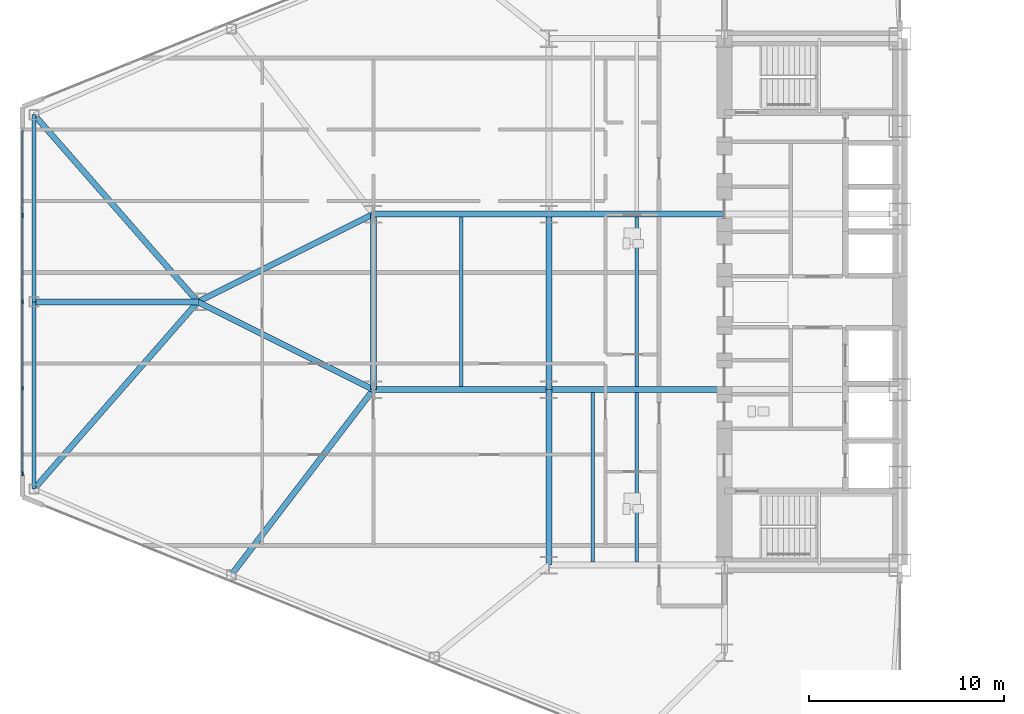
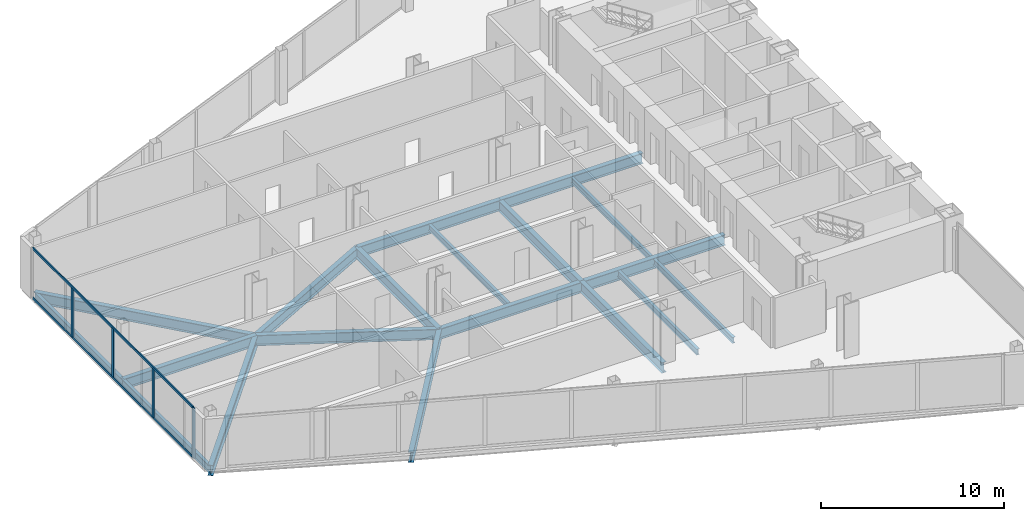
# One storey, part 4 of 25: 19 beams, 6 members, 1 element without a shape of its own.
"""IFC4 building model written with IfcOpenShell, lengths in metres."""

import ifcopenshell
import ifcopenshell.guid

model = None  # the IFC model being written
_history = None  # IfcOwnerHistory: only IFC2X3 demands one
_inside = {}  # id of a spatial element -> (the spatial element, [elements in it])
_under = {}  # id of a project, library or spatial element -> (it, [spatial elements below it])
_declared = {}  # id of a project -> (the project, [libraries it declares])
_typed = {}  # id of a type object -> (the type object, [elements of that type])
_made_of = {}  # id of a material, layer set ... -> (it, [elements and type objects made of it])


def new_model(schema):
    """Start an empty IFC model of exactly this schema.

    Asked for "IFC4X3", IfcOpenShell would pick the latest addendum, in which some entities
    have other attributes; the version numbers below select the first issue.
    IFC2X3 requires an IfcOwnerHistory on every rooted entity: one is made here for all.
    """
    global model, _history
    if schema == "IFC4X3":
        model = ifcopenshell.file(schema_version=(4, 3, 0, 0))
    else:
        model = ifcopenshell.file(schema=schema)
    _inside.clear()
    _under.clear()
    _declared.clear()
    _typed.clear()
    _made_of.clear()
    _history = None
    if model.schema == "IFC2X3":
        org = make("IfcOrganization", Name="unknown")
        user = make(
            "IfcPersonAndOrganization",
            ThePerson=make("IfcPerson", FamilyName="unknown"),
            TheOrganization=org,
        )
        app = make(
            "IfcApplication",
            ApplicationDeveloper=org,
            Version="unknown",
            ApplicationFullName="unknown",
            ApplicationIdentifier="unknown",
        )
        _history = make(
            "IfcOwnerHistory",
            OwningUser=user,
            OwningApplication=app,
            ChangeAction="ADDED",
            CreationDate=0,
        )
    return model


def make(cls, **values):
    """One entity of the class cls with the attributes given. An attribute that is None is left unset."""
    return model.create_entity(
        cls, **{name: value for name, value in values.items() if value is not None}
    )


def rooted(cls, **values):
    """An entity with a GlobalId (a new one), such as an element, a storey or a relation."""
    return make(cls, GlobalId=ifcopenshell.guid.new(), OwnerHistory=_history, **values)


def si_unit(unit_type, name, prefix=None):
    """IfcSIUnit, for example si_unit("LENGTHUNIT", "METRE", prefix="MILLI")."""
    return make("IfcSIUnit", UnitType=unit_type, Prefix=prefix, Name=name)


def assignment(units):
    """IfcUnitAssignment: the units of a project."""
    return None if units is None else make("IfcUnitAssignment", Units=units)


def point(xyz):
    """IfcCartesianPoint."""
    return None if xyz is None else make("IfcCartesianPoint", Coordinates=xyz)


def direction(xyz):
    """IfcDirection."""
    return None if xyz is None else make("IfcDirection", DirectionRatios=xyz)


def frame(location, z_axis=None, x_axis=None):
    """IfcAxis2Placement3D, a coordinate frame: its origin and axes. An axis left out is left unset."""
    return make(
        "IfcAxis2Placement3D",
        Location=point(location),
        Axis=direction(z_axis),
        RefDirection=direction(x_axis),
    )


def frame_2d(location, x_axis=None):
    """IfcAxis2Placement2D, a coordinate frame in the plane: its origin and x axis."""
    return make(
        "IfcAxis2Placement2D", Location=point(location), RefDirection=direction(x_axis)
    )


def origin():
    """The frame at (0, 0, 0) with its axes left unset."""
    return frame((0.0, 0.0, 0.0))


def origin_2d():
    """The frame at (0, 0) in the plane with its x axis left unset."""
    return frame_2d((0.0, 0.0))


def place(relative_to, where):
    """IfcLocalPlacement: puts the frame where relative to a parent placement (None: the world)."""
    return make(
        "IfcLocalPlacement", PlacementRelTo=relative_to, RelativePlacement=where
    )


def context(
    kind, dimensions, precision=None, world=None, true_north=None, identifier=None
):
    """IfcGeometricRepresentationContext, for example the 3D "Model" context."""
    return make(
        "IfcGeometricRepresentationContext",
        ContextIdentifier=identifier,
        ContextType=kind,
        CoordinateSpaceDimension=dimensions,
        Precision=precision,
        WorldCoordinateSystem=world,
        TrueNorth=true_north,
    )


def subcontext(parent, identifier, kind, view, scale=None):
    """IfcGeometricRepresentationSubContext, for example "Body" below "Model"."""
    return make(
        "IfcGeometricRepresentationSubContext",
        ContextIdentifier=identifier,
        ContextType=kind,
        ParentContext=parent,
        TargetScale=scale,
        TargetView=view,
    )


def project(units=None, contexts=None):
    """IfcProject with its units and contexts."""
    return rooted(
        "IfcProject",
        Name="project",
        RepresentationContexts=contexts,
        UnitsInContext=assignment(units),
    )


def spatial(cls, under=None, at=None, **own):
    """A site, building, storey or space (cls), placed at a placement, below another one or the project."""
    s = rooted(cls, ObjectPlacement=at, **own)
    if under is not None:
        _under.setdefault(under.id(), (under, []))[1].append(s)
    return s


def profile(cls, at=None, kind="AREA", **sizes):
    """A parametric profile (cls). Its sizes go by their IFC names, for example OverallWidth=200.0."""
    return make(cls, ProfileType=kind, Position=at, **sizes)


def rectangle(**sizes):
    """IfcRectangleProfileDef."""
    return profile("IfcRectangleProfileDef", **sizes)


def i_section(**sizes):
    """IfcIShapeProfileDef."""
    return profile("IfcIShapeProfileDef", **sizes)


def extrude(swept, where, along, depth):
    """IfcExtrudedAreaSolid: the profile swept, set in the frame where, extruded along a direction by depth."""
    return make(
        "IfcExtrudedAreaSolid",
        SweptArea=swept,
        Position=where,
        ExtrudedDirection=direction(along),
        Depth=depth,
    )


def shape(context_of_items, identifier, shape_type, items):
    """IfcShapeRepresentation: the items that make up one representation, for example the "Body"."""
    return make(
        "IfcShapeRepresentation",
        ContextOfItems=context_of_items,
        RepresentationIdentifier=identifier,
        RepresentationType=shape_type,
        Items=items,
    )


def source(mapping_origin, context_of_items, identifier, shape_type, items):
    """IfcRepresentationMap: a shape defined once, which mapped items show again and again."""
    return make(
        "IfcRepresentationMap",
        MappingOrigin=mapping_origin,
        MappedRepresentation=shape(context_of_items, identifier, shape_type, items),
    )


def transform(
    local_origin,
    x_axis=None,
    y_axis=None,
    z_axis=None,
    scale=None,
    scale2=None,
    scale3=None,
    uniform=True,
):
    """IfcCartesianTransformationOperator3D, or its non-uniform kind. x_axis, y_axis, z_axis: its Axis1, 2, 3."""
    if uniform:
        return make(
            "IfcCartesianTransformationOperator3D",
            Axis1=direction(x_axis),
            Axis2=direction(y_axis),
            LocalOrigin=point(local_origin),
            Scale=scale,
            Axis3=direction(z_axis),
        )
    return make(
        "IfcCartesianTransformationOperator3DnonUniform",
        Axis1=direction(x_axis),
        Axis2=direction(y_axis),
        LocalOrigin=point(local_origin),
        Scale=scale,
        Axis3=direction(z_axis),
        Scale2=scale2,
        Scale3=scale3,
    )


def mapped(mapping_source, mapping_target):
    """IfcMappedItem: shows the shape of a source again, moved by a transform."""
    return make(
        "IfcMappedItem", MappingSource=mapping_source, MappingTarget=mapping_target
    )


def material(Name=None, Category=None):
    """IfcMaterial."""
    return make("IfcMaterial", Name=Name, Category=Category)


def layer(
    of_material, thickness, ventilated=None, Name=None, Category=None, Priority=None
):
    """IfcMaterialLayer: one layer of a wall or slab, of a material (None: an air gap)."""
    return make(
        "IfcMaterialLayer",
        Material=of_material,
        LayerThickness=thickness,
        IsVentilated=ventilated,
        Name=Name,
        Category=Category,
        Priority=Priority,
    )


def layer_set(layers, Name=None):
    """IfcMaterialLayerSet."""
    return make("IfcMaterialLayerSet", MaterialLayers=layers, LayerSetName=Name)


def material_profile(
    of_material, cross_section, Name=None, Category=None, Priority=None
):
    """IfcMaterialProfile: a cross section and its material."""
    return make(
        "IfcMaterialProfile",
        Name=Name,
        Material=of_material,
        Profile=cross_section,
        Priority=Priority,
        Category=Category,
    )


def profile_set(profiles, Name=None, composite=None):
    """IfcMaterialProfileSet."""
    return make(
        "IfcMaterialProfileSet",
        Name=Name,
        MaterialProfiles=profiles,
        CompositeProfile=composite,
    )


def made_of(thing, what):
    """Note that an element or type object is made of a material, layer set ...; save() writes the relation."""
    if what is not None:
        _made_of.setdefault(what.id(), (what, []))[1].append(thing)
    return thing


def type_object(cls, material=None, **own):
    """A type object (cls), such as IfcWallType, which elements share."""
    return made_of(rooted(cls, **own), material)


def type_shapes(of_type, sources):
    """Give a type object the sources (RepresentationMaps) that its elements show as mapped items."""
    of_type.RepresentationMaps = sources


def element(
    cls,
    number,
    at=None,
    inside=None,
    cuts=None,
    type_object=None,
    material=None,
    context=None,
    identifier="Body",
    shape_type=None,
    held_by="IfcProductDefinitionShape",
    body=None,
    shapes=None,
    **own,
):
    """One element of the class cls, such as IfcWall. Its Tag is "e" and its number.

    at: its placement. inside: the storey or other place that contains it. cuts: it is an
    opening in that element (IfcRelVoidsElement). A single representation is given by context,
    identifier, shape_type and body (its items); several are given by shapes. held_by: the class
    of the entity that holds the representations. save() writes the other relations.
    """
    e = rooted(cls, Tag="e%d" % number, ObjectPlacement=at, **own)
    if body is not None:
        shapes = [shape(context, identifier, shape_type, body)]
    if shapes is not None:
        e.Representation = make(held_by, Representations=shapes)
    if inside is not None:
        _inside.setdefault(inside.id(), (inside, []))[1].append(e)
    if cuts is not None:
        rooted(
            "IfcRelVoidsElement", RelatingBuildingElement=cuts, RelatedOpeningElement=e
        )
    if type_object is not None:
        _typed.setdefault(type_object.id(), (type_object, []))[1].append(e)
    return made_of(e, material)


def aggregate(whole, parts):
    """IfcRelAggregates: a whole, such as a stair, and the parts it consists of."""
    return rooted("IfcRelAggregates", RelatingObject=whole, RelatedObjects=parts)


def save(model, path):
    """Write the relations noted so far, then the file.

    IfcRelAggregates (storeys below a building ...), IfcRelContainedInSpatialStructure (elements
    in a storey), IfcRelDefinesByType, IfcRelAssociatesMaterial and IfcRelDeclares: one each for
    every whole, place, type object, material and project.
    """
    for whole, parts in _under.values():
        aggregate(whole, parts)
    for where, things in _inside.values():
        rooted(
            "IfcRelContainedInSpatialStructure",
            RelatedElements=things,
            RelatingStructure=where,
        )
    for kind, things in _typed.values():
        rooted("IfcRelDefinesByType", RelatedObjects=things, RelatingType=kind)
    for what, things in _made_of.values():
        rooted("IfcRelAssociatesMaterial", RelatedObjects=things, RelatingMaterial=what)
    for by, libraries in _declared.values():
        rooted("IfcRelDeclares", RelatingContext=by, RelatedDefinitions=libraries)
    model.write(path)


model = new_model("IFC4")

# Units and contexts
model_context = context("Model", 3, precision=1e-05, world=origin(), true_north=direction((0.0, 1.0)))
body_context = subcontext(model_context, "Body", "Model", "MODEL_VIEW")
ifc_project = project(units=[si_unit("LENGTHUNIT", "METRE"), si_unit("AREAUNIT", "SQUARE_METRE"), si_unit("VOLUMEUNIT", "CUBIC_METRE"), si_unit("PLANEANGLEUNIT", "RADIAN"), si_unit("MASSUNIT", "GRAM", prefix="KILO")], contexts=[model_context])

# Site, building, storey
site_placement = place(None, origin())
site = spatial("IfcSite", under=ifc_project, at=site_placement, CompositionType="ELEMENT")
building_placement = place(site_placement, origin())
building = spatial("IfcBuilding", under=site, at=building_placement, Name="Seokmaru Belvedere", CompositionType="ELEMENT")
storey_placement = place(building_placement, frame((0.0, 0.0, 54.89990234375)))
storey = spatial("IfcBuildingStorey", under=building, at=storey_placement, Name="L14", CompositionType="ELEMENT", Elevation=54.89990234375)

# Beams
ifc_material_1 = material(Name="Steel SM355 (355 MPa)", Category="steel")
ifc_material_profile_1 = material_profile(ifc_material_1, i_section(OverallWidth=0.300048828125, OverallDepth=0.699951171875, WebThickness=0.012939453125, FlangeThickness=0.02392578125, at=origin_2d()), Name="H-700x300x13x24")
ifc_profile_set_1 = profile_set([ifc_material_profile_1], Name="Steel SM355 (355 MPa)")
beam_type_1 = type_object("IfcBeamType", Name="Primary Floor Girder H-700", PredefinedType="BEAM", material=ifc_profile_set_1)
shared_shape_1 = source(origin(), body_context, "Body", "SweptSolid", [
    extrude(i_section(OverallWidth=0.300048828125, OverallDepth=0.699951171875, WebThickness=0.012939453125, FlangeThickness=0.02392578125, at=origin_2d()), origin(), (0.0, 0.0, 1.0), 9.0),
])
for number, where, z_axis, x_axis, name in (
    (1, (-45.5, -13.5, -0.56982421875), (0.0, 1.0, 0.0), (-1.0, 0.0, 0.0), "L14 W Interior Grid Girder 1"),
    (2, (-45.5, -4.5, -0.56982421875), (0.0, 1.0, 0.0), (-1.0, 0.0, 0.0), "L14 W Interior Grid Girder 2"),
    (3, (-45.5, -4.5, -0.56982421875), (1.0, 0.0, 0.0), (0.0, 1.0, 0.0), "L14 W Wing Primary Girder 2"),
    (4, (-45.5, 4.5, -0.56982421875), (1.0, 0.0, 0.0), (0.0, 1.0, 0.0), "L14 W Wing Primary Girder 3"),
    (5, (-54.5, -4.5, -0.56982421875), (1.0, 0.0, 0.0), (0.0, 1.0, 0.0), "L14 W Outer Wing Girder 1"),
    (6, (-54.5, 4.5, -0.56982421875), (1.0, 0.0, 0.0), (0.0, 1.0, 0.0), "L14 W Outer Wing Girder 2"),
    (7, (-54.5, -4.5, -0.56982421875), (0.0, 1.0, 0.0), (-1.0, 0.0, 0.0), "L14 W Apex Frame Girder"),
):
    element("IfcBeam", number, at=place(storey_placement, frame(where, z_axis=z_axis, x_axis=x_axis)), inside=storey, type_object=beam_type_1, Name=name, PredefinedType="BEAM", context=body_context, shape_type="MappedRepresentation", body=[
        mapped(shared_shape_1, transform((0.0, 0.0, 0.0), scale=1.0)),
    ])
shared_shape_2 = source(origin(), body_context, "Body", "SweptSolid", [
    extrude(i_section(OverallWidth=0.300048828125, OverallDepth=0.699951171875, WebThickness=0.012939453125, FlangeThickness=0.02392578125, at=origin_2d()), origin(), (0.0, 0.0, 1.0), 10.062255859375),
])
for number, where, z_axis, x_axis, name in (
    (8, (-54.5, -4.5, -0.56982421875), (-0.894427191, 0.4472135955, 0.0), (-0.4472135955, -0.894427191, 0.0), "L14 W Apex Converging Girder 1"),
    (9, (-54.5, 4.5, -0.56982421875), (-0.894427191, -0.4472135955, 0.0), (0.4472135955, -0.894427191, 0.0), "L14 W Apex Converging Girder 2"),
):
    element("IfcBeam", number, at=place(storey_placement, frame(where, z_axis=z_axis, x_axis=x_axis)), inside=storey, type_object=beam_type_1, Name=name, PredefinedType="BEAM", context=body_context, shape_type="MappedRepresentation", body=[
        mapped(shared_shape_2, transform((0.0, 0.0, 0.0), scale=1.0)),
    ])
ifc_material_profile_2 = material_profile(ifc_material_1, i_section(OverallWidth=0.18505859375, OverallDepth=0.389892578125, WebThickness=0.008056640625, FlangeThickness=0.011962890625, at=origin_2d()), Name="H-390x185x8x12")
ifc_profile_set_2 = profile_set([ifc_material_profile_2], Name="Steel SM355 (355 MPa)")
beam_type_2 = type_object("IfcBeamType", Name="Secondary Floor Joist H-350", PredefinedType="JOIST", material=ifc_profile_set_2)
shared_shape_3 = source(origin(), body_context, "Body", "SweptSolid", [
    extrude(i_section(OverallWidth=0.18505859375, OverallDepth=0.389892578125, WebThickness=0.008056640625, FlangeThickness=0.011962890625, at=origin_2d()), origin(), (0.0, 0.0, 1.0), 8.68994140625),
])
type_shapes(beam_type_2, [shared_shape_3])
for number, where, z_axis, x_axis, name in (
    (10, (-43.25, -13.344970703125, -0.414794921875), (0.0, 1.0, 0.0), (-1.0, 0.0, 0.0), "L14 W Wing Inner Secondary Joist 1"),
    (11, (-41.0, -13.344970703125, -0.414794921875), (0.0, 1.0, 0.0), (-1.0, 0.0, 0.0), "L14 W Secondary Floor Joist 1"),
    (12, (-41.0, -4.344970703125, -0.414794921875), (0.0, 1.0, 0.0), (-1.0, 0.0, 0.0), "L14 W Secondary Floor Joist 2"),
    (13, (-50.0, -4.344970703125, -0.414794921875), (0.0, 1.0, 0.0), (-1.0, 0.0, 0.0), "L14 W Outer Bay Secondary Joist"),
):
    element("IfcBeam", number, at=place(storey_placement, frame(where, z_axis=z_axis, x_axis=x_axis)), inside=storey, type_object=beam_type_2, Name=name, PredefinedType="JOIST", context=body_context, shape_type="MappedRepresentation", body=[
        mapped(shared_shape_3, transform((0.0, 0.0, 0.0), scale=1.0)),
    ])
shared_shape_4 = source(origin(), body_context, "Body", "SweptSolid", [
    extrude(i_section(OverallWidth=0.300048828125, OverallDepth=0.699951171875, WebThickness=0.012939453125, FlangeThickness=0.02392578125, at=origin_2d()), origin(), (0.0, 0.0, 1.0), 12.7529296875),
])
for number, where, z_axis, x_axis, name in (
    (14, (-71.89990234375, -9.595703125, -0.56982421875), (0.658667231479, 0.752434368019, 0.0), (-0.752434368019, 0.658667231479, 0.0), "L14 W Apex Radial Floor Girder 1"),
    (15, (-71.89990234375, 9.595703125, -0.56982421875), (0.658667231479, -0.752434368019, 0.0), (0.752434368019, 0.658667231479, 0.0), "L14 W Apex Radial Floor Girder 2"),
):
    element("IfcBeam", number, at=place(storey_placement, frame(where, z_axis=z_axis, x_axis=x_axis)), inside=storey, type_object=beam_type_1, Name=name, PredefinedType="BEAM", context=body_context, shape_type="MappedRepresentation", body=[
        mapped(shared_shape_4, transform((0.0, 0.0, 0.0), scale=1.0)),
    ])
ifc_material_profile_3 = material_profile(ifc_material_1, i_section(OverallWidth=0.199951171875, OverallDepth=0.5, WebThickness=0.010009765625, FlangeThickness=0.01611328125, at=origin_2d()), Name="H-500x200x10x16")
ifc_profile_set_3 = profile_set([ifc_material_profile_3], Name="Steel SM355 (355 MPa)")
beam_type_3 = type_object("IfcBeamType", Name="Perimeter Spandrel Beam H-500", PredefinedType="SPANDREL", material=ifc_profile_set_3)
shared_shape_5 = source(origin(), body_context, "Body", "SweptSolid", [
    extrude(i_section(OverallWidth=0.199951171875, OverallDepth=0.5, WebThickness=0.010009765625, FlangeThickness=0.01611328125, at=origin_2d()), origin(), (0.0, 0.0, 1.0), 9.595703125),
])
type_shapes(beam_type_3, [shared_shape_5])
for number, where, z_axis, x_axis, name in (
    (16, (-71.89990234375, -9.595703125, -0.469970703125), (0.0, 1.0, 0.0), (-1.0, 0.0, 0.0), "L14 W Faceted Apex Spandrel S"),
    (17, (-71.89990234375, 0.0, -0.469970703125), (0.0, 1.0, 0.0), (-1.0, 0.0, 0.0), "L14 W Faceted Apex Spandrel N"),
):
    element("IfcBeam", number, at=place(storey_placement, frame(where, z_axis=z_axis, x_axis=x_axis)), inside=storey, type_object=beam_type_3, Name=name, PredefinedType="SPANDREL", context=body_context, shape_type="MappedRepresentation", body=[
        mapped(shared_shape_5, transform((0.0, 0.0, 0.0), scale=1.0)),
    ])
shared_shape_6 = source(origin(), body_context, "Body", "SweptSolid", [
    extrude(i_section(OverallWidth=0.300048828125, OverallDepth=0.699951171875, WebThickness=0.012939453125, FlangeThickness=0.02392578125, at=origin_2d()), origin(), (0.0, 0.0, 1.0), 11.96337890625),
])
beam_1_placement = place(storey_placement, frame((-61.779052734375, -13.994140625, -0.56982421875), z_axis=(0.608442682624, 0.793597821294, 0.0), x_axis=(-0.793597821294, 0.608442682624, 0.0)))
element("IfcBeam", 18, at=beam_1_placement, inside=storey, type_object=beam_type_1, Name="L14 W Flank Radial Floor Girder S-3", PredefinedType="BEAM", context=body_context, shape_type="MappedRepresentation", body=[
    mapped(shared_shape_6, transform((0.0, 0.0, 0.0), scale=1.0)),
])
shared_shape_7 = source(origin(), body_context, "Body", "SweptSolid", [
    extrude(i_section(OverallWidth=0.300048828125, OverallDepth=0.699951171875, WebThickness=0.012939453125, FlangeThickness=0.02392578125, at=origin_2d()), origin(), (0.0, 0.0, 1.0), 8.39990234375),
])
type_shapes(beam_type_1, [shared_shape_1, shared_shape_2, shared_shape_4, shared_shape_6, shared_shape_7])
beam_2_placement = place(storey_placement, frame((-71.89990234375, 0.0, -0.56982421875), z_axis=(1.0, 0.0, 0.0), x_axis=(0.0, 1.0, 0.0)))
element("IfcBeam", 19, at=beam_2_placement, inside=storey, type_object=beam_type_1, Name="L14 W Apex Center Radial Girder", PredefinedType="BEAM", context=body_context, shape_type="MappedRepresentation", body=[
    mapped(shared_shape_7, transform((0.0, 0.0, 0.0), scale=1.0)),
])

# Curtain wall, members
ifc_material_2 = material(Name="Bronze Triple Insulating Glass", Category="glass")
ifc_layer = layer(ifc_material_2, 0.2099609375)
ifc_layer_set = layer_set([ifc_layer], Name="Bronze Triple Insulating Glass")
curtain_wall_type = type_object("IfcCurtainWallType", Name="Low-Rise Faceted Crystal Curtain Wall System CW-2", PredefinedType="NOTDEFINED", material=ifc_layer_set)
curtain_wall_placement = place(storey_placement, origin())
curtain_wall = element("IfcCurtainWall", 20, at=curtain_wall_placement, inside=storey, type_object=curtain_wall_type, Name="L14 Curtain Wall WF4", PredefinedType="NOTDEFINED")
ifc_material_3 = material(Name="Anodised Bronze Aluminium", Category="aluminium")
ifc_material_profile_4 = material_profile(ifc_material_3, rectangle(XDim=0.074951171875, YDim=0.2099609375, at=origin_2d()), Name="CW-M-75x210")
ifc_profile_set_4 = profile_set([ifc_material_profile_4], Name="Anodised Bronze Aluminium")
member_type_1 = type_object("IfcMemberType", Name="Bronze Unitised Mullion 75x210", PredefinedType="MULLION", material=ifc_profile_set_4)
shared_shape_8 = source(origin(), body_context, "Body", "SweptSolid", [
    extrude(rectangle(XDim=0.074951171875, YDim=0.2099609375, at=origin_2d()), origin(), (0.0, 0.0, 1.0), 3.380126953125),
])
member_1_placement = place(storey_placement, frame((-72.5, -8.8125, 0.0), z_axis=(0.0, 0.0, 1.0), x_axis=(1.0, 0.0, 0.0)))
member_1 = element("IfcMember", 21, at=member_1_placement, type_object=member_type_1, Name="CW:L14:WF4 Mullion 5", PredefinedType="MULLION", context=body_context, shape_type="MappedRepresentation", body=[
    mapped(shared_shape_8, transform((0.0, 0.0, 0.0), scale=1.0)),
])
shared_shape_9 = source(origin(), body_context, "Body", "SweptSolid", [
    extrude(rectangle(XDim=0.074951171875, YDim=0.2099609375, at=origin_2d()), origin(), (0.0, 0.0, 1.0), 3.239990234375),
])
type_shapes(member_type_1, [shared_shape_8, shared_shape_9])
member_2_placement = place(storey_placement, frame((-72.5, 4.425048828125, 0.070068359375), z_axis=(0.0, 0.0, 1.0), x_axis=(1.0, 0.0, 0.0)))
member_2 = element("IfcMember", 22, at=member_2_placement, type_object=member_type_1, Name="CW:L14:WF4 Mullion 2", PredefinedType="MULLION", context=body_context, shape_type="MappedRepresentation", body=[
    mapped(shared_shape_9, transform((0.0, 0.0, 0.0), scale=1.0)),
])
member_3_placement = place(storey_placement, frame((-72.5, 0.0, 0.070068359375), z_axis=(0.0, 0.0, 1.0), x_axis=(1.0, 0.0, 0.0)))
member_3 = element("IfcMember", 23, at=member_3_placement, type_object=member_type_1, Name="CW:L14:WF4 Mullion 3", PredefinedType="MULLION", context=body_context, shape_type="MappedRepresentation", body=[
    mapped(shared_shape_9, transform((0.0, 0.0, 0.0), scale=1.0)),
])
member_4_placement = place(storey_placement, frame((-72.5, -4.425048828125, 0.070068359375), z_axis=(0.0, 0.0, 1.0), x_axis=(1.0, 0.0, 0.0)))
member_4 = element("IfcMember", 24, at=member_4_placement, type_object=member_type_1, Name="CW:L14:WF4 Mullion 4", PredefinedType="MULLION", context=body_context, shape_type="MappedRepresentation", body=[
    mapped(shared_shape_9, transform((0.0, 0.0, 0.0), scale=1.0)),
])
ifc_material_profile_5 = material_profile(ifc_material_3, rectangle(XDim=0.070068359375, YDim=0.1650390625, at=origin_2d()), Name="CW-T-70x165")
ifc_profile_set_5 = profile_set([ifc_material_profile_5], Name="Anodised Bronze Aluminium")
member_type_2 = type_object("IfcMemberType", Name="Bronze Unitised Transom 70x165", PredefinedType="USERDEFINED", material=ifc_profile_set_5)
shared_shape_10 = source(origin(), body_context, "Body", "SweptSolid", [
    extrude(rectangle(XDim=0.070068359375, YDim=0.1650390625, at=origin_2d()), origin(), (0.0, 0.0, 1.0), 17.5498046875),
])
type_shapes(member_type_2, [shared_shape_10])
member_5_placement = place(storey_placement, frame((-72.5, 8.77490234375, 0.03515625), z_axis=(0.0, -1.0, 0.0), x_axis=(1.0, 0.0, 0.0)))
member_5 = element("IfcMember", 25, at=member_5_placement, type_object=member_type_2, Name="CW:L14:WF4 Continuous Transom 1", ObjectType="TRANSOM", PredefinedType="USERDEFINED", context=body_context, shape_type="MappedRepresentation", body=[
    mapped(shared_shape_10, transform((0.0, 0.0, 0.0), scale=1.0)),
])
member_6_placement = place(storey_placement, frame((-72.5, 8.77490234375, 3.34521484375), z_axis=(0.0, -1.0, 0.0), x_axis=(1.0, 0.0, 0.0)))
member_6 = element("IfcMember", 26, at=member_6_placement, type_object=member_type_2, Name="CW:L14:WF4 Continuous Transom 2", ObjectType="TRANSOM", PredefinedType="USERDEFINED", context=body_context, shape_type="MappedRepresentation", body=[
    mapped(shared_shape_10, transform((0.0, 0.0, 0.0), scale=1.0)),
])
aggregate(curtain_wall, [member_2, member_3, member_4, member_1, member_5, member_6])

save(model, "model.ifc")
